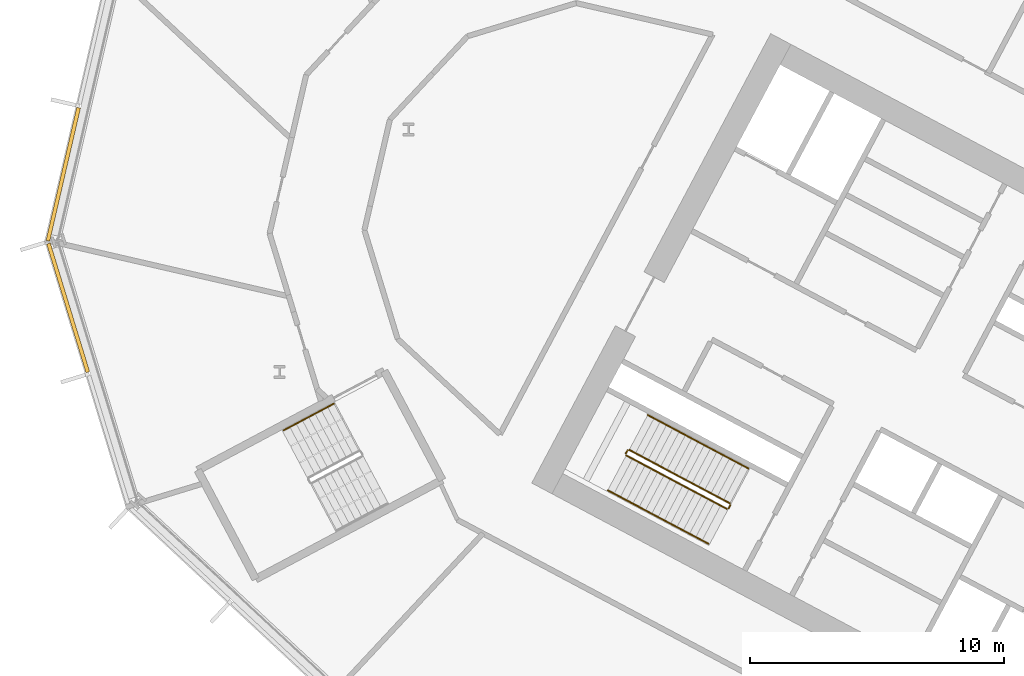
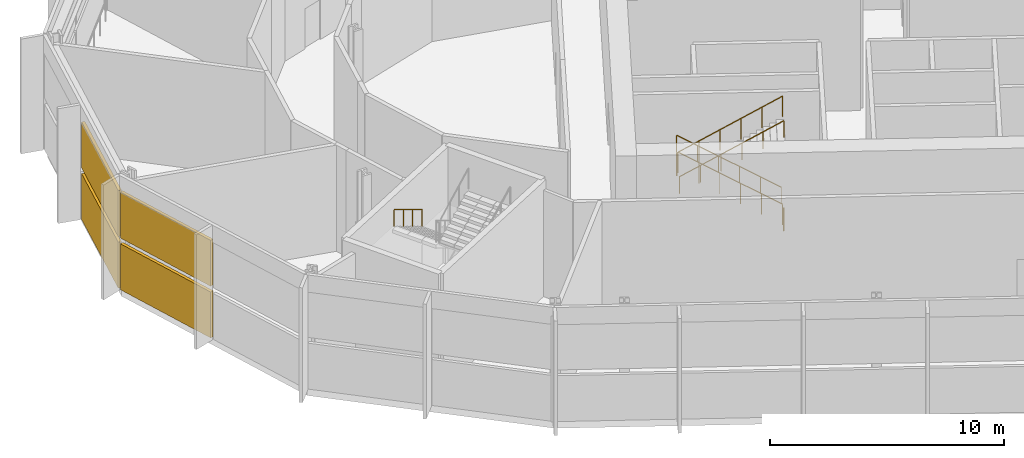
# One storey, part 23 of 33: 7 railings, 4 shading devices, 2 elements without a shape of their own.
"""IFC4 building model written with IfcOpenShell, lengths in metres."""

import ifcopenshell
import ifcopenshell.guid

model = None  # the IFC model being written
_history = None  # IfcOwnerHistory: only IFC2X3 demands one
_inside = {}  # id of a spatial element -> (the spatial element, [elements in it])
_under = {}  # id of a project, library or spatial element -> (it, [spatial elements below it])
_declared = {}  # id of a project -> (the project, [libraries it declares])
_typed = {}  # id of a type object -> (the type object, [elements of that type])
_made_of = {}  # id of a material, layer set ... -> (it, [elements and type objects made of it])


def new_model(schema):
    """Start an empty IFC model of exactly this schema.

    Asked for "IFC4X3", IfcOpenShell would pick the latest addendum, in which some entities
    have other attributes; the version numbers below select the first issue.
    IFC2X3 requires an IfcOwnerHistory on every rooted entity: one is made here for all.
    """
    global model, _history
    if schema == "IFC4X3":
        model = ifcopenshell.file(schema_version=(4, 3, 0, 0))
    else:
        model = ifcopenshell.file(schema=schema)
    _inside.clear()
    _under.clear()
    _declared.clear()
    _typed.clear()
    _made_of.clear()
    _history = None
    if model.schema == "IFC2X3":
        org = make("IfcOrganization", Name="unknown")
        user = make(
            "IfcPersonAndOrganization",
            ThePerson=make("IfcPerson", FamilyName="unknown"),
            TheOrganization=org,
        )
        app = make(
            "IfcApplication",
            ApplicationDeveloper=org,
            Version="unknown",
            ApplicationFullName="unknown",
            ApplicationIdentifier="unknown",
        )
        _history = make(
            "IfcOwnerHistory",
            OwningUser=user,
            OwningApplication=app,
            ChangeAction="ADDED",
            CreationDate=0,
        )
    return model


def make(cls, **values):
    """One entity of the class cls with the attributes given. An attribute that is None is left unset."""
    return model.create_entity(
        cls, **{name: value for name, value in values.items() if value is not None}
    )


def rooted(cls, **values):
    """An entity with a GlobalId (a new one), such as an element, a storey or a relation."""
    return make(cls, GlobalId=ifcopenshell.guid.new(), OwnerHistory=_history, **values)


def si_unit(unit_type, name, prefix=None):
    """IfcSIUnit, for example si_unit("LENGTHUNIT", "METRE", prefix="MILLI")."""
    return make("IfcSIUnit", UnitType=unit_type, Prefix=prefix, Name=name)


def assignment(units):
    """IfcUnitAssignment: the units of a project."""
    return None if units is None else make("IfcUnitAssignment", Units=units)


def point(xyz):
    """IfcCartesianPoint."""
    return None if xyz is None else make("IfcCartesianPoint", Coordinates=xyz)


def direction(xyz):
    """IfcDirection."""
    return None if xyz is None else make("IfcDirection", DirectionRatios=xyz)


def frame(location, z_axis=None, x_axis=None):
    """IfcAxis2Placement3D, a coordinate frame: its origin and axes. An axis left out is left unset."""
    return make(
        "IfcAxis2Placement3D",
        Location=point(location),
        Axis=direction(z_axis),
        RefDirection=direction(x_axis),
    )


def frame_2d(location, x_axis=None):
    """IfcAxis2Placement2D, a coordinate frame in the plane: its origin and x axis."""
    return make(
        "IfcAxis2Placement2D", Location=point(location), RefDirection=direction(x_axis)
    )


def origin():
    """The frame at (0, 0, 0) with its axes left unset."""
    return frame((0.0, 0.0, 0.0))


def origin_2d():
    """The frame at (0, 0) in the plane with its x axis left unset."""
    return frame_2d((0.0, 0.0))


def place(relative_to, where):
    """IfcLocalPlacement: puts the frame where relative to a parent placement (None: the world)."""
    return make(
        "IfcLocalPlacement", PlacementRelTo=relative_to, RelativePlacement=where
    )


def context(
    kind, dimensions, precision=None, world=None, true_north=None, identifier=None
):
    """IfcGeometricRepresentationContext, for example the 3D "Model" context."""
    return make(
        "IfcGeometricRepresentationContext",
        ContextIdentifier=identifier,
        ContextType=kind,
        CoordinateSpaceDimension=dimensions,
        Precision=precision,
        WorldCoordinateSystem=world,
        TrueNorth=true_north,
    )


def subcontext(parent, identifier, kind, view, scale=None):
    """IfcGeometricRepresentationSubContext, for example "Body" below "Model"."""
    return make(
        "IfcGeometricRepresentationSubContext",
        ContextIdentifier=identifier,
        ContextType=kind,
        ParentContext=parent,
        TargetScale=scale,
        TargetView=view,
    )


def project(units=None, contexts=None):
    """IfcProject with its units and contexts."""
    return rooted(
        "IfcProject",
        Name="project",
        RepresentationContexts=contexts,
        UnitsInContext=assignment(units),
    )


def spatial(cls, under=None, at=None, **own):
    """A site, building, storey or space (cls), placed at a placement, below another one or the project."""
    s = rooted(cls, ObjectPlacement=at, **own)
    if under is not None:
        _under.setdefault(under.id(), (under, []))[1].append(s)
    return s


def polyline(points):
    """IfcPolyline through the points."""
    return make("IfcPolyline", Points=[point(p) for p in points])


def profile(cls, at=None, kind="AREA", **sizes):
    """A parametric profile (cls). Its sizes go by their IFC names, for example OverallWidth=200.0."""
    return make(cls, ProfileType=kind, Position=at, **sizes)


def rectangle(**sizes):
    """IfcRectangleProfileDef."""
    return profile("IfcRectangleProfileDef", **sizes)


def outline(outer, holes=None, kind="AREA"):
    """IfcArbitraryClosedProfileDef: a profile drawn as a closed curve; with holes, ...WithVoids."""
    if holes is None:
        return make("IfcArbitraryClosedProfileDef", ProfileType=kind, OuterCurve=outer)
    return make(
        "IfcArbitraryProfileDefWithVoids",
        ProfileType=kind,
        OuterCurve=outer,
        InnerCurves=holes,
    )


def extrude(swept, where, along, depth):
    """IfcExtrudedAreaSolid: the profile swept, set in the frame where, extruded along a direction by depth."""
    return make(
        "IfcExtrudedAreaSolid",
        SweptArea=swept,
        Position=where,
        ExtrudedDirection=direction(along),
        Depth=depth,
    )


def shape(context_of_items, identifier, shape_type, items):
    """IfcShapeRepresentation: the items that make up one representation, for example the "Body"."""
    return make(
        "IfcShapeRepresentation",
        ContextOfItems=context_of_items,
        RepresentationIdentifier=identifier,
        RepresentationType=shape_type,
        Items=items,
    )


def material(Name=None, Category=None):
    """IfcMaterial."""
    return make("IfcMaterial", Name=Name, Category=Category)


def layer(
    of_material, thickness, ventilated=None, Name=None, Category=None, Priority=None
):
    """IfcMaterialLayer: one layer of a wall or slab, of a material (None: an air gap)."""
    return make(
        "IfcMaterialLayer",
        Material=of_material,
        LayerThickness=thickness,
        IsVentilated=ventilated,
        Name=Name,
        Category=Category,
        Priority=Priority,
    )


def layer_set(layers, Name=None):
    """IfcMaterialLayerSet."""
    return make("IfcMaterialLayerSet", MaterialLayers=layers, LayerSetName=Name)


def made_of(thing, what):
    """Note that an element or type object is made of a material, layer set ...; save() writes the relation."""
    if what is not None:
        _made_of.setdefault(what.id(), (what, []))[1].append(thing)
    return thing


def type_object(cls, material=None, **own):
    """A type object (cls), such as IfcWallType, which elements share."""
    return made_of(rooted(cls, **own), material)


def element(
    cls,
    number,
    at=None,
    inside=None,
    cuts=None,
    type_object=None,
    material=None,
    context=None,
    identifier="Body",
    shape_type=None,
    held_by="IfcProductDefinitionShape",
    body=None,
    shapes=None,
    **own,
):
    """One element of the class cls, such as IfcWall. Its Tag is "e" and its number.

    at: its placement. inside: the storey or other place that contains it. cuts: it is an
    opening in that element (IfcRelVoidsElement). A single representation is given by context,
    identifier, shape_type and body (its items); several are given by shapes. held_by: the class
    of the entity that holds the representations. save() writes the other relations.
    """
    e = rooted(cls, Tag="e%d" % number, ObjectPlacement=at, **own)
    if body is not None:
        shapes = [shape(context, identifier, shape_type, body)]
    if shapes is not None:
        e.Representation = make(held_by, Representations=shapes)
    if inside is not None:
        _inside.setdefault(inside.id(), (inside, []))[1].append(e)
    if cuts is not None:
        rooted(
            "IfcRelVoidsElement", RelatingBuildingElement=cuts, RelatedOpeningElement=e
        )
    if type_object is not None:
        _typed.setdefault(type_object.id(), (type_object, []))[1].append(e)
    return made_of(e, material)


def aggregate(whole, parts):
    """IfcRelAggregates: a whole, such as a stair, and the parts it consists of."""
    return rooted("IfcRelAggregates", RelatingObject=whole, RelatedObjects=parts)


def save(model, path):
    """Write the relations noted so far, then the file.

    IfcRelAggregates (storeys below a building ...), IfcRelContainedInSpatialStructure (elements
    in a storey), IfcRelDefinesByType, IfcRelAssociatesMaterial and IfcRelDeclares: one each for
    every whole, place, type object, material and project.
    """
    for whole, parts in _under.values():
        aggregate(whole, parts)
    for where, things in _inside.values():
        rooted(
            "IfcRelContainedInSpatialStructure",
            RelatedElements=things,
            RelatingStructure=where,
        )
    for kind, things in _typed.values():
        rooted("IfcRelDefinesByType", RelatedObjects=things, RelatingType=kind)
    for what, things in _made_of.values():
        rooted("IfcRelAssociatesMaterial", RelatedObjects=things, RelatingMaterial=what)
    for by, libraries in _declared.values():
        rooted("IfcRelDeclares", RelatingContext=by, RelatedDefinitions=libraries)
    model.write(path)


model = new_model("IFC4")

# Units and contexts
model_context = context("Model", 3, precision=1e-05, world=origin(), true_north=direction((0.0, 1.0)))
body_context = subcontext(model_context, "Body", "Model", "MODEL_VIEW")
ifc_project = project(units=[si_unit("LENGTHUNIT", "METRE"), si_unit("AREAUNIT", "SQUARE_METRE"), si_unit("VOLUMEUNIT", "CUBIC_METRE"), si_unit("PLANEANGLEUNIT", "RADIAN"), si_unit("MASSUNIT", "GRAM", prefix="KILO")], contexts=[model_context])

# Site, building, storey
site_placement = place(None, origin())
site = spatial("IfcSite", under=ifc_project, at=site_placement, CompositionType="ELEMENT")
building_placement = place(site_placement, origin())
building = spatial("IfcBuilding", under=site, at=building_placement, Name="Cormorant Relay Tower", CompositionType="ELEMENT")
storey_placement = place(building_placement, frame((0.0, 0.0, 112.199951171875)))
storey = spatial("IfcBuildingStorey", under=building, at=storey_placement, Name="L22", CompositionType="ELEMENT", Elevation=112.199951171875)

# Curtain wall, shading devices
ifc_material_1 = material(Name="Aluminium 6063-T6 anodised bronze", Category="aluminium")
ifc_layer = layer(ifc_material_1, 0.199951171875)
ifc_layer_set = layer_set([ifc_layer], Name="CW4 band louvre wall")
curtain_wall_type = type_object("IfcCurtainWallType", Name="CW4 band louvre wall", PredefinedType="NOTDEFINED", material=ifc_layer_set)
curtain_wall_1_placement = place(storey_placement, origin())
curtain_wall_1 = element("IfcCurtainWall", 1, at=curtain_wall_1_placement, inside=storey, type_object=curtain_wall_type, Name="CW4 curtain wall 11", PredefinedType="NOTDEFINED")
ifc_material_2 = material(Name="Aluminium 6063-T6 anodised bronze louvre", Category="aluminium")
shading_device_type = type_object("IfcShadingDeviceType", Name="CW4 bronze louvre bank 150 x 2400", PredefinedType="USERDEFINED", material=ifc_material_2)
shading_device_1_placement = place(storey_placement, frame((-60.18994140625, 23.021484375, 2.7001953125), z_axis=(0.0, 0.0, 1.0), x_axis=(-0.224951054344, -0.974370064785, 0.0)))
shading_device_1 = element("IfcShadingDevice", 2, at=shading_device_1_placement, type_object=shading_device_type, Name="CW4 louvre bank U11.2", ObjectType="LOUVRE", PredefinedType="USERDEFINED", context=body_context, shape_type="SweptSolid", body=[
    extrude(rectangle(XDim=5.360107421875, YDim=0.14990234375, at=origin_2d()), origin(), (0.0, 0.0, 1.0), 2.39990234375),
])
shading_device_2_placement = place(storey_placement, frame((-60.18994140625, 23.021484375, 0.0), z_axis=(0.0, 0.0, 1.0), x_axis=(-0.224951054344, -0.974370064785, 0.0)))
shading_device_2 = element("IfcShadingDevice", 3, at=shading_device_2_placement, type_object=shading_device_type, Name="CW4 louvre bank D11.2", ObjectType="LOUVRE", PredefinedType="USERDEFINED", context=body_context, shape_type="SweptSolid", body=[
    extrude(rectangle(XDim=5.360107421875, YDim=0.14990234375, at=origin_2d()), origin(), (0.0, 0.0, 1.0), 2.39990234375),
])
aggregate(curtain_wall_1, [shading_device_1, shading_device_2])

curtain_wall_2_placement = place(storey_placement, origin())
curtain_wall_2 = element("IfcCurtainWall", 4, at=curtain_wall_2_placement, inside=storey, type_object=curtain_wall_type, Name="CW4 curtain wall 12", PredefinedType="NOTDEFINED")
shading_device_3_placement = place(storey_placement, frame((-59.9970703125, 17.7724609375, 2.7001953125), z_axis=(0.0, 0.0, 1.0), x_axis=(0.292371704723, -0.956304755963, 0.0)))
shading_device_3 = element("IfcShadingDevice", 5, at=shading_device_3_placement, type_object=shading_device_type, Name="CW4 louvre bank U12.1", ObjectType="LOUVRE", PredefinedType="USERDEFINED", context=body_context, shape_type="SweptSolid", body=[
    extrude(rectangle(XDim=5.28515625, YDim=0.14990234375, at=origin_2d()), origin(), (0.0, 0.0, 1.0), 2.39990234375),
])
shading_device_4_placement = place(storey_placement, frame((-59.9970703125, 17.7724609375, 0.0), z_axis=(0.0, 0.0, 1.0), x_axis=(0.292371704723, -0.956304755963, 0.0)))
shading_device_4 = element("IfcShadingDevice", 6, at=shading_device_4_placement, type_object=shading_device_type, Name="CW4 louvre bank D12.1", ObjectType="LOUVRE", PredefinedType="USERDEFINED", context=body_context, shape_type="SweptSolid", body=[
    extrude(rectangle(XDim=5.28515625, YDim=0.14990234375, at=origin_2d()), origin(), (0.0, 0.0, 1.0), 2.39990234375),
])
aggregate(curtain_wall_2, [shading_device_3, shading_device_4])

# Railings
ifc_material_3 = material(Name="Steel ASTM A572 Grade 50 (Fy 345 MPa)", Category="steel")
railing_type_1 = type_object("IfcRailingType", Name="Stair guard 1100", PredefinedType="GUARDRAIL", material=ifc_material_3)
railing_1_placement = place(storey_placement, frame((-33.9921875, 10.08935546875, 0.176513671875)))
element("IfcRailing", 7, at=railing_1_placement, inside=storey, type_object=railing_type_1, Name="L22 A2 stair guard 1", PredefinedType="GUARDRAIL", context=body_context, shape_type="SweptSolid", body=[
    extrude(outline(polyline([(0.022216796875, 0.00927734375), (0.00927734375, 0.022216796875), (-0.00927734375, 0.022216796875), (-0.022216796875, 0.00927734375), (-0.022216796875, -0.00927734375), (-0.00927734375, -0.022216796875), (0.00927734375, -0.022216796875), (0.022216796875, -0.00927734375), (0.022216796875, 0.00927734375)])), frame((0.0, 0.0, 1.076171875), z_axis=(-0.746967351038, 0.397180825157, 0.533185866853), x_axis=(-0.469481920044, -0.882942085729, 0.0)), (0.0, 0.0, 1.0), 5.29541015625),
    extrude(outline(polyline([(0.019287109375, 0.008056640625), (0.008056640625, 0.019287109375), (-0.008056640625, 0.019287109375), (-0.019287109375, 0.008056640625), (-0.019287109375, -0.008056640625), (-0.008056640625, -0.019287109375), (0.008056640625, -0.019287109375), (0.019287109375, -0.008056640625), (0.019287109375, 0.008056640625)])), origin(), (0.0, 0.0, 1.0), 1.052001953125),
    extrude(outline(polyline([(0.019287109375, 0.008056640625), (0.008056640625, 0.019287109375), (-0.008056640625, 0.019287109375), (-0.019287109375, 0.008056640625), (-0.019287109375, -0.008056640625), (-0.008056640625, -0.019287109375), (0.008056640625, -0.019287109375), (0.019287109375, -0.008056640625), (0.019287109375, 0.008056640625)])), frame((-0.791015625, 0.420654296875, 0.564697265625)), (0.0, 0.0, 1.0), 1.052001953125),
    extrude(outline(polyline([(0.019287109375, 0.008056640625), (0.008056640625, 0.019287109375), (-0.008056640625, 0.019287109375), (-0.019287109375, 0.008056640625), (-0.019287109375, -0.008056640625), (-0.008056640625, -0.019287109375), (0.008056640625, -0.019287109375), (0.019287109375, -0.008056640625), (0.019287109375, 0.008056640625)])), frame((-1.582275390625, 0.84130859375, 1.12939453125)), (0.0, 0.0, 1.0), 1.052001953125),
    extrude(outline(polyline([(0.019287109375, 0.008056640625), (0.008056640625, 0.019287109375), (-0.008056640625, 0.019287109375), (-0.019287109375, 0.008056640625), (-0.019287109375, -0.008056640625), (-0.008056640625, -0.019287109375), (0.008056640625, -0.019287109375), (0.019287109375, -0.008056640625), (0.019287109375, 0.008056640625)])), frame((-2.373291015625, 1.261962890625, 1.694091796875)), (0.0, 0.0, 1.0), 1.052001953125),
    extrude(outline(polyline([(0.019287109375, 0.008056640625), (0.008056640625, 0.019287109375), (-0.008056640625, 0.019287109375), (-0.019287109375, 0.008056640625), (-0.019287109375, -0.008056640625), (-0.008056640625, -0.019287109375), (0.008056640625, -0.019287109375), (0.019287109375, -0.008056640625), (0.019287109375, 0.008056640625)])), frame((-3.16455078125, 1.6826171875, 2.2587890625)), (0.0, 0.0, 1.0), 1.052001953125),
    extrude(outline(polyline([(0.019287109375, 0.008056640625), (0.008056640625, 0.019287109375), (-0.008056640625, 0.019287109375), (-0.019287109375, 0.008056640625), (-0.019287109375, -0.008056640625), (-0.008056640625, -0.019287109375), (0.008056640625, -0.019287109375), (0.019287109375, -0.008056640625), (0.019287109375, 0.008056640625)])), frame((-3.95556640625, 2.103271484375, 2.823486328125)), (0.0, 0.0, 1.0), 1.052001953125),
])
railing_2_placement = place(storey_placement, frame((-38.015380859375, 12.171875, 3.0)))
element("IfcRailing", 8, at=railing_2_placement, inside=storey, type_object=railing_type_1, Name="L22 A2 stair guard 2", PredefinedType="GUARDRAIL", context=body_context, shape_type="SweptSolid", body=[
    extrude(outline(polyline([(0.022216796875, 0.00927734375), (0.00927734375, 0.022216796875), (-0.00927734375, 0.022216796875), (-0.022216796875, 0.00927734375), (-0.022216796875, -0.00927734375), (-0.00927734375, -0.022216796875), (0.00927734375, -0.022216796875), (0.022216796875, -0.00927734375), (0.022216796875, 0.00927734375)])), frame((0.0, 0.0, 1.076171875), z_axis=(-0.470503732759, -0.882398003998, 0.0), x_axis=(0.882398003998, -0.470503732759, 0.0)), (0.0, 0.0, 1.0), 0.14990234375),
    extrude(outline(polyline([(0.019287109375, 0.008056640625), (0.008056640625, 0.019287109375), (-0.008056640625, 0.019287109375), (-0.019287109375, 0.008056640625), (-0.019287109375, -0.008056640625), (-0.008056640625, -0.019287109375), (0.008056640625, -0.019287109375), (0.019287109375, -0.008056640625), (0.019287109375, 0.008056640625)])), origin(), (0.0, 0.0, 1.0), 1.052001953125),
    extrude(outline(polyline([(0.019287109375, 0.008056640625), (0.008056640625, 0.019287109375), (-0.008056640625, 0.019287109375), (-0.019287109375, 0.008056640625), (-0.019287109375, -0.008056640625), (-0.008056640625, -0.019287109375), (0.008056640625, -0.019287109375), (0.019287109375, -0.008056640625), (0.019287109375, 0.008056640625)])), frame((-0.070556640625, -0.13232421875, 0.0)), (0.0, 0.0, 1.0), 1.052001953125),
])
railing_3_placement = place(storey_placement, frame((-38.065185546875, 11.971923828125, 3.176513671875)))
element("IfcRailing", 9, at=railing_3_placement, inside=storey, type_object=railing_type_1, Name="L22 A2 stair guard 3", PredefinedType="GUARDRAIL", context=body_context, shape_type="SweptSolid", body=[
    extrude(outline(polyline([(0.022216796875, 0.00927734375), (0.00927734375, 0.022216796875), (-0.00927734375, 0.022216796875), (-0.022216796875, 0.00927734375), (-0.022216796875, -0.00927734375), (-0.00927734375, -0.022216796875), (0.00927734375, -0.022216796875), (0.022216796875, -0.00927734375), (0.022216796875, 0.00927734375)])), frame((0.0, 0.0, 1.076171875), z_axis=(0.746967351038, -0.397180825157, 0.533185866853), x_axis=(0.469481920044, 0.882942085729, 0.0)), (0.0, 0.0, 1.0), 5.29541015625),
    extrude(outline(polyline([(0.019287109375, 0.008056640625), (0.008056640625, 0.019287109375), (-0.008056640625, 0.019287109375), (-0.019287109375, 0.008056640625), (-0.019287109375, -0.008056640625), (-0.008056640625, -0.019287109375), (0.008056640625, -0.019287109375), (0.019287109375, -0.008056640625), (0.019287109375, 0.008056640625)])), origin(), (0.0, 0.0, 1.0), 1.052001953125),
    extrude(outline(polyline([(0.019287109375, 0.008056640625), (0.008056640625, 0.019287109375), (-0.008056640625, 0.019287109375), (-0.019287109375, 0.008056640625), (-0.019287109375, -0.008056640625), (-0.008056640625, -0.019287109375), (0.008056640625, -0.019287109375), (0.019287109375, -0.008056640625), (0.019287109375, 0.008056640625)])), frame((0.791015625, -0.420654296875, 0.564697265625)), (0.0, 0.0, 1.0), 1.052001953125),
    extrude(outline(polyline([(0.019287109375, 0.008056640625), (0.008056640625, 0.019287109375), (-0.008056640625, 0.019287109375), (-0.019287109375, 0.008056640625), (-0.019287109375, -0.008056640625), (-0.008056640625, -0.019287109375), (0.008056640625, -0.019287109375), (0.019287109375, -0.008056640625), (0.019287109375, 0.008056640625)])), frame((1.582275390625, -0.84130859375, 1.12939453125)), (0.0, 0.0, 1.0), 1.052001953125),
    extrude(outline(polyline([(0.019287109375, 0.008056640625), (0.008056640625, 0.019287109375), (-0.008056640625, 0.019287109375), (-0.019287109375, 0.008056640625), (-0.019287109375, -0.008056640625), (-0.008056640625, -0.019287109375), (0.008056640625, -0.019287109375), (0.019287109375, -0.008056640625), (0.019287109375, 0.008056640625)])), frame((2.373291015625, -1.261962890625, 1.694091796875)), (0.0, 0.0, 1.0), 1.052001953125),
    extrude(outline(polyline([(0.019287109375, 0.008056640625), (0.008056640625, 0.019287109375), (-0.008056640625, 0.019287109375), (-0.019287109375, 0.008056640625), (-0.019287109375, -0.008056640625), (-0.008056640625, -0.019287109375), (0.008056640625, -0.019287109375), (0.019287109375, -0.008056640625), (0.019287109375, 0.008056640625)])), frame((3.16455078125, -1.6826171875, 2.2587890625)), (0.0, 0.0, 1.0), 1.052001953125),
    extrude(outline(polyline([(0.019287109375, 0.008056640625), (0.008056640625, 0.019287109375), (-0.008056640625, 0.019287109375), (-0.019287109375, 0.008056640625), (-0.019287109375, -0.008056640625), (-0.008056640625, -0.019287109375), (0.008056640625, -0.019287109375), (0.019287109375, -0.008056640625), (0.019287109375, 0.008056640625)])), frame((3.95556640625, -2.103271484375, 2.823486328125)), (0.0, 0.0, 1.0), 1.052001953125),
])
railing_4_placement = place(storey_placement, frame((-33.971435546875, 10.021728515625, 0.0)))
element("IfcRailing", 10, at=railing_4_placement, inside=storey, type_object=railing_type_1, Name="L22 A2 stair guard 4", PredefinedType="GUARDRAIL", context=body_context, shape_type="SweptSolid", body=[
    extrude(outline(polyline([(0.022216796875, 0.00927734375), (0.00927734375, 0.022216796875), (-0.00927734375, 0.022216796875), (-0.022216796875, 0.00927734375), (-0.022216796875, -0.00927734375), (-0.00927734375, -0.022216796875), (0.00927734375, -0.022216796875), (0.022216796875, -0.00927734375), (0.022216796875, 0.00927734375)])), frame((0.0, 0.0, 1.076171875), z_axis=(-0.470503732759, -0.882398003998, 0.0), x_axis=(0.882398003998, -0.470503732759, 0.0)), (0.0, 0.0, 1.0), 0.14990234375),
    extrude(outline(polyline([(0.019287109375, 0.008056640625), (0.008056640625, 0.019287109375), (-0.008056640625, 0.019287109375), (-0.019287109375, 0.008056640625), (-0.019287109375, -0.008056640625), (-0.008056640625, -0.019287109375), (0.008056640625, -0.019287109375), (0.019287109375, -0.008056640625), (0.019287109375, 0.008056640625)])), origin(), (0.0, 0.0, 1.0), 1.052001953125),
    extrude(outline(polyline([(0.019287109375, 0.008056640625), (0.008056640625, 0.019287109375), (-0.008056640625, 0.019287109375), (-0.019287109375, 0.008056640625), (-0.019287109375, -0.008056640625), (-0.008056640625, -0.019287109375), (0.008056640625, -0.019287109375), (0.019287109375, -0.008056640625), (0.019287109375, 0.008056640625)])), frame((-0.070556640625, -0.13232421875, 0.0)), (0.0, 0.0, 1.0), 1.052001953125),
])
ifc_material_4 = material(Name="Steel ASTM A572 Grade 50 (Fy 345 MPa)", Category="steel")
railing_type_2 = type_object("IfcRailingType", Name="Stair handrail 900", PredefinedType="HANDRAIL", material=ifc_material_4)
railing_5_placement = place(storey_placement, frame((-33.264404296875, 11.4580078125, 0.176513671875)))
element("IfcRailing", 11, at=railing_5_placement, inside=storey, type_object=railing_type_2, Name="L22 A2 stair handrail 1", PredefinedType="HANDRAIL", context=body_context, shape_type="SweptSolid", body=[
    extrude(outline(polyline([(0.022216796875, 0.00927734375), (0.00927734375, 0.022216796875), (-0.00927734375, 0.022216796875), (-0.022216796875, 0.00927734375), (-0.022216796875, -0.00927734375), (-0.00927734375, -0.022216796875), (0.00927734375, -0.022216796875), (0.022216796875, -0.00927734375), (0.022216796875, 0.00927734375)])), frame((0.0, 0.0, 0.8759765625), z_axis=(-0.746987729523, 0.397167147432, 0.53316750552), x_axis=(-0.469459331058, -0.882954096475, 0.0)), (0.0, 0.0, 1.0), 5.295654296875),
    extrude(outline(polyline([(0.019287109375, 0.008056640625), (0.008056640625, 0.019287109375), (-0.008056640625, 0.019287109375), (-0.019287109375, 0.008056640625), (-0.019287109375, -0.008056640625), (-0.008056640625, -0.019287109375), (0.008056640625, -0.019287109375), (0.019287109375, -0.008056640625), (0.019287109375, 0.008056640625)])), origin(), (0.0, 0.0, 1.0), 0.851806640625),
    extrude(outline(polyline([(0.019287109375, 0.008056640625), (0.008056640625, 0.019287109375), (-0.008056640625, 0.019287109375), (-0.019287109375, 0.008056640625), (-0.019287109375, -0.008056640625), (-0.008056640625, -0.019287109375), (0.008056640625, -0.019287109375), (0.019287109375, -0.008056640625), (0.019287109375, 0.008056640625)])), frame((-0.791259765625, 0.420654296875, 0.564697265625)), (0.0, 0.0, 1.0), 0.851806640625),
    extrude(outline(polyline([(0.019287109375, 0.008056640625), (0.008056640625, 0.019287109375), (-0.008056640625, 0.019287109375), (-0.019287109375, 0.008056640625), (-0.019287109375, -0.008056640625), (-0.008056640625, -0.019287109375), (0.008056640625, -0.019287109375), (0.019287109375, -0.008056640625), (0.019287109375, 0.008056640625)])), frame((-1.582275390625, 0.84130859375, 1.12939453125)), (0.0, 0.0, 1.0), 0.851806640625),
    extrude(outline(polyline([(0.019287109375, 0.008056640625), (0.008056640625, 0.019287109375), (-0.008056640625, 0.019287109375), (-0.019287109375, 0.008056640625), (-0.019287109375, -0.008056640625), (-0.008056640625, -0.019287109375), (0.008056640625, -0.019287109375), (0.019287109375, -0.008056640625), (0.019287109375, 0.008056640625)])), frame((-2.37353515625, 1.261962890625, 1.694091796875)), (0.0, 0.0, 1.0), 0.851806640625),
    extrude(outline(polyline([(0.019287109375, 0.008056640625), (0.008056640625, 0.019287109375), (-0.008056640625, 0.019287109375), (-0.019287109375, 0.008056640625), (-0.019287109375, -0.008056640625), (-0.008056640625, -0.019287109375), (0.008056640625, -0.019287109375), (0.019287109375, -0.008056640625), (0.019287109375, 0.008056640625)])), frame((-3.16455078125, 1.6826171875, 2.2587890625)), (0.0, 0.0, 1.0), 0.851806640625),
    extrude(outline(polyline([(0.019287109375, 0.008056640625), (0.008056640625, 0.019287109375), (-0.008056640625, 0.019287109375), (-0.019287109375, 0.008056640625), (-0.019287109375, -0.008056640625), (-0.008056640625, -0.019287109375), (0.008056640625, -0.019287109375), (0.019287109375, -0.008056640625), (0.019287109375, 0.008056640625)])), frame((-3.955810546875, 2.103271484375, 2.823486328125)), (0.0, 0.0, 1.0), 0.851806640625),
])
railing_6_placement = place(storey_placement, frame((-38.79296875, 10.603271484375, 3.176513671875)))
element("IfcRailing", 12, at=railing_6_placement, inside=storey, type_object=railing_type_2, Name="L22 A2 stair handrail 2", PredefinedType="HANDRAIL", context=body_context, shape_type="SweptSolid", body=[
    extrude(outline(polyline([(0.022216796875, 0.00927734375), (0.00927734375, 0.022216796875), (-0.00927734375, 0.022216796875), (-0.022216796875, 0.00927734375), (-0.022216796875, -0.00927734375), (-0.00927734375, -0.022216796875), (0.00927734375, -0.022216796875), (0.022216796875, -0.00927734375), (0.022216796875, 0.00927734375)])), frame((0.0, 0.0, 0.8759765625), z_axis=(0.746987729523, -0.397167147432, 0.53316750552), x_axis=(0.469459331058, 0.882954096475, 0.0)), (0.0, 0.0, 1.0), 5.295654296875),
    extrude(outline(polyline([(0.019287109375, 0.008056640625), (0.008056640625, 0.019287109375), (-0.008056640625, 0.019287109375), (-0.019287109375, 0.008056640625), (-0.019287109375, -0.008056640625), (-0.008056640625, -0.019287109375), (0.008056640625, -0.019287109375), (0.019287109375, -0.008056640625), (0.019287109375, 0.008056640625)])), origin(), (0.0, 0.0, 1.0), 0.851806640625),
    extrude(outline(polyline([(0.019287109375, 0.008056640625), (0.008056640625, 0.019287109375), (-0.008056640625, 0.019287109375), (-0.019287109375, 0.008056640625), (-0.019287109375, -0.008056640625), (-0.008056640625, -0.019287109375), (0.008056640625, -0.019287109375), (0.019287109375, -0.008056640625), (0.019287109375, 0.008056640625)])), frame((0.791259765625, -0.420654296875, 0.564697265625)), (0.0, 0.0, 1.0), 0.851806640625),
    extrude(outline(polyline([(0.019287109375, 0.008056640625), (0.008056640625, 0.019287109375), (-0.008056640625, 0.019287109375), (-0.019287109375, 0.008056640625), (-0.019287109375, -0.008056640625), (-0.008056640625, -0.019287109375), (0.008056640625, -0.019287109375), (0.019287109375, -0.008056640625), (0.019287109375, 0.008056640625)])), frame((1.582275390625, -0.84130859375, 1.12939453125)), (0.0, 0.0, 1.0), 0.851806640625),
    extrude(outline(polyline([(0.019287109375, 0.008056640625), (0.008056640625, 0.019287109375), (-0.008056640625, 0.019287109375), (-0.019287109375, 0.008056640625), (-0.019287109375, -0.008056640625), (-0.008056640625, -0.019287109375), (0.008056640625, -0.019287109375), (0.019287109375, -0.008056640625), (0.019287109375, 0.008056640625)])), frame((2.37353515625, -1.261962890625, 1.694091796875)), (0.0, 0.0, 1.0), 0.851806640625),
    extrude(outline(polyline([(0.019287109375, 0.008056640625), (0.008056640625, 0.019287109375), (-0.008056640625, 0.019287109375), (-0.019287109375, 0.008056640625), (-0.019287109375, -0.008056640625), (-0.008056640625, -0.019287109375), (0.008056640625, -0.019287109375), (0.019287109375, -0.008056640625), (0.019287109375, 0.008056640625)])), frame((3.16455078125, -1.6826171875, 2.2587890625)), (0.0, 0.0, 1.0), 0.851806640625),
    extrude(outline(polyline([(0.019287109375, 0.008056640625), (0.008056640625, 0.019287109375), (-0.008056640625, 0.019287109375), (-0.019287109375, 0.008056640625), (-0.019287109375, -0.008056640625), (-0.008056640625, -0.019287109375), (0.008056640625, -0.019287109375), (0.019287109375, -0.008056640625), (0.019287109375, 0.008056640625)])), frame((3.955810546875, -2.103271484375, 2.823486328125)), (0.0, 0.0, 1.0), 0.851806640625),
])
railing_7_placement = place(storey_placement, frame((-49.55517578125, 14.009521484375, 3.166748046875)))
element("IfcRailing", 13, at=railing_7_placement, inside=storey, type_object=railing_type_2, Name="L22 RP1 stair handrail 3", PredefinedType="HANDRAIL", context=body_context, shape_type="SweptSolid", body=[
    extrude(outline(polyline([(0.022216796875, 0.00927734375), (0.00927734375, 0.022216796875), (-0.00927734375, 0.022216796875), (-0.022216796875, 0.00927734375), (-0.022216796875, -0.00927734375), (-0.00927734375, -0.022216796875), (0.00927734375, -0.022216796875), (0.022216796875, -0.00927734375), (0.022216796875, 0.00927734375)])), frame((0.0, 0.0, 0.8759765625), z_axis=(-0.758731590246, -0.403389329612, 0.511471820063), x_axis=(0.469439434157, -0.882964675204, 0.0)), (0.0, 0.0, 1.0), 2.606689453125),
    extrude(outline(polyline([(0.019287109375, 0.008056640625), (0.008056640625, 0.019287109375), (-0.008056640625, 0.019287109375), (-0.019287109375, 0.008056640625), (-0.019287109375, -0.008056640625), (-0.008056640625, -0.019287109375), (0.008056640625, -0.019287109375), (0.019287109375, -0.008056640625), (0.019287109375, 0.008056640625)])), origin(), (0.0, 0.0, 1.0), 0.851806640625),
    extrude(outline(polyline([(0.019287109375, 0.008056640625), (0.008056640625, 0.019287109375), (-0.008056640625, 0.019287109375), (-0.019287109375, 0.008056640625), (-0.019287109375, -0.008056640625), (-0.008056640625, -0.019287109375), (0.008056640625, -0.019287109375), (0.019287109375, -0.008056640625), (0.019287109375, 0.008056640625)])), frame((-0.6591796875, -0.3505859375, 0.4443359375)), (0.0, 0.0, 1.0), 0.851806640625),
    extrude(outline(polyline([(0.019287109375, 0.008056640625), (0.008056640625, 0.019287109375), (-0.008056640625, 0.019287109375), (-0.019287109375, 0.008056640625), (-0.019287109375, -0.008056640625), (-0.008056640625, -0.019287109375), (0.008056640625, -0.019287109375), (0.019287109375, -0.008056640625), (0.019287109375, 0.008056640625)])), frame((-1.318603515625, -0.700927734375, 0.888916015625)), (0.0, 0.0, 1.0), 0.851806640625),
    extrude(outline(polyline([(0.019287109375, 0.008056640625), (0.008056640625, 0.019287109375), (-0.008056640625, 0.019287109375), (-0.019287109375, 0.008056640625), (-0.019287109375, -0.008056640625), (-0.008056640625, -0.019287109375), (0.008056640625, -0.019287109375), (0.019287109375, -0.008056640625), (0.019287109375, 0.008056640625)])), frame((-1.977783203125, -1.051513671875, 1.333251953125)), (0.0, 0.0, 1.0), 0.851806640625),
])

save(model, "model.ifc")
